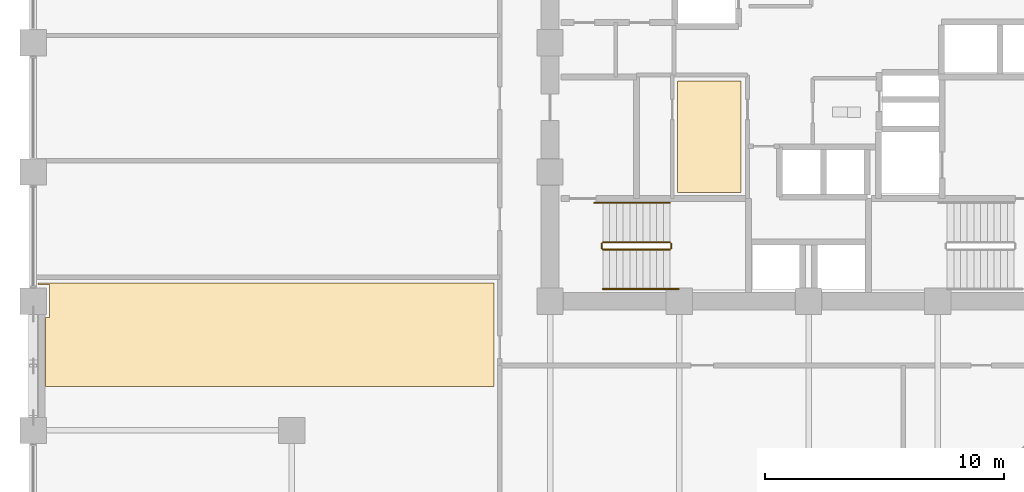
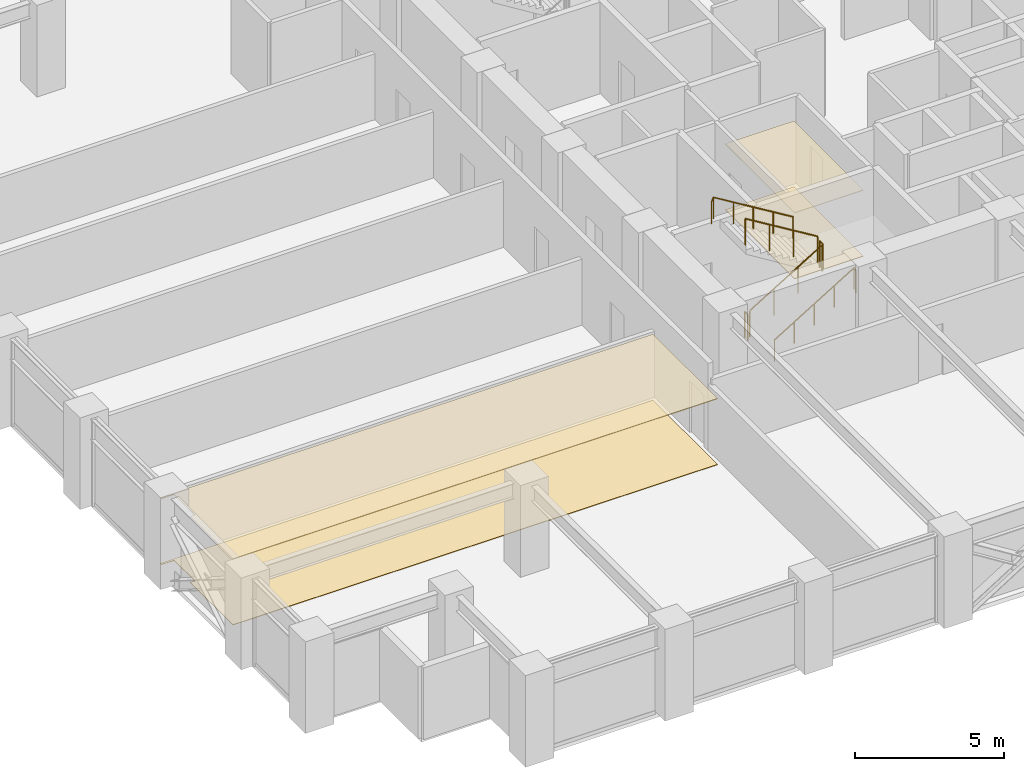
# One storey, part 23 of 25: 6 railings, 4 coverings.
"""IFC4 building model written with IfcOpenShell, lengths in metres."""

from ifc_helpers import new_model, si_unit, direction, frame, origin, origin_2d, place, context, subcontext, project, spatial, polyline, circle, outline, extrude, material, layer, layer_set, type_object, element, save


model = new_model("IFC4")

# Units and contexts
model_context = context("Model", 3, precision=1e-05, world=origin(), true_north=direction((0.0, 1.0)))
body_context = subcontext(model_context, "Body", "Model", "MODEL_VIEW")
ifc_project = project(units=[si_unit("LENGTHUNIT", "METRE"), si_unit("AREAUNIT", "SQUARE_METRE"), si_unit("VOLUMEUNIT", "CUBIC_METRE"), si_unit("PLANEANGLEUNIT", "RADIAN"), si_unit("MASSUNIT", "GRAM", prefix="KILO")], contexts=[model_context])

# Site, building, storey
site_placement = place(None, origin())
site = spatial("IfcSite", under=ifc_project, at=site_placement, CompositionType="ELEMENT")
building_placement = place(site_placement, origin())
building = spatial("IfcBuilding", under=site, at=building_placement, Name="Surkhivell Harbour Commons", CompositionType="ELEMENT")
storey_placement = place(building_placement, frame((0.0, 0.0, 113.25)))
storey = spatial("IfcBuildingStorey", under=building, at=storey_placement, Name="L29", CompositionType="ELEMENT", Elevation=113.25)

# Coverings
ifc_material_1 = material(Name="Perforated acoustic mineral-fibre ceiling tile", Category="other")
ifc_layer_1 = layer(ifc_material_1, 0.02490234375)
ifc_layer_set_1 = layer_set([ifc_layer_1], Name="Perforated acoustic mineral-fibre ceiling tile")
covering_type_1 = type_object("IfcCoveringType", Name="COV-CEIL-AC", PredefinedType="CEILING", material=ifc_layer_set_1)
covering_1_placement = place(storey_placement, frame((0.0, 0.0, 2.694091796875)))
element("IfcCovering", 1, at=covering_1_placement, inside=storey, type_object=covering_type_1, Name="L29 Suspended Acoustic Ceiling 1", PredefinedType="CEILING", context=body_context, shape_type="SweptSolid", body=[
    extrude(outline(polyline([(-5.47998046875, -6.260009765625), (-2.820068359375, -6.260009765625), (-2.820068359375, -1.60009765625), (-5.47998046875, -1.60009765625), (-5.47998046875, -6.260009765625)])), origin(), (0.0, 0.0, 1.0), 0.02490234375),
])
ifc_material_2 = material(Name="Moisture-resistant gypsum acoustic ceiling board", Category="other")
ifc_layer_2 = layer(ifc_material_2, 0.030029296875)
ifc_layer_set_2 = layer_set([ifc_layer_2], Name="Moisture-resistant gypsum acoustic ceiling board")
covering_type_2 = type_object("IfcCoveringType", Name="COV-CEIL-GYP", PredefinedType="CEILING", material=ifc_layer_set_2)
covering_2_placement = place(storey_placement, frame((0.0, 0.0, 2.68896484375)))
element("IfcCovering", 2, at=covering_2_placement, inside=storey, type_object=covering_type_2, Name="L29 Suspended Acoustic Ceiling 2", PredefinedType="CEILING", context=body_context, shape_type="SweptSolid", body=[
    extrude(outline(polyline([(-13.139892578125, -14.360107421875), (-13.139892578125, -10.027587890625), (-32.18994140625, -10.027587890625), (-32.18994140625, -10.110107421875), (-31.7099609375, -10.110107421875), (-31.7099609375, -11.489990234375), (-31.889892578125, -11.489990234375), (-31.889892578125, -14.360107421875), (-13.139892578125, -14.360107421875)])), origin(), (0.0, 0.0, 1.0), 0.030029296875),
])
ifc_material_3 = material(Name="Engineered acoustic oak timber flooring", Category="wood")
ifc_layer_3 = layer(ifc_material_3, 0.02001953125)
ifc_layer_set_3 = layer_set([ifc_layer_3], Name="Engineered acoustic oak timber flooring")
covering_type_3 = type_object("IfcCoveringType", Name="COV-FLR-TIM", PredefinedType="FLOORING", material=ifc_layer_set_3)
covering_3_placement = place(storey_placement, origin())
element("IfcCovering", 3, at=covering_3_placement, inside=storey, type_object=covering_type_3, Name="L29 Interior Floor Finish 1", PredefinedType="FLOORING", context=body_context, shape_type="SweptSolid", body=[
    extrude(outline(polyline([(-5.47998046875, -6.260009765625), (-2.820068359375, -6.260009765625), (-2.820068359375, -1.60009765625), (-5.47998046875, -1.60009765625), (-5.47998046875, -6.260009765625)])), origin(), (0.0, 0.0, 1.0), 0.02001953125),
])
covering_4_placement = place(storey_placement, origin())
element("IfcCovering", 4, at=covering_4_placement, inside=storey, type_object=covering_type_3, Name="L29 Interior Floor Finish 2", PredefinedType="FLOORING", context=body_context, shape_type="SweptSolid", body=[
    extrude(outline(polyline([(-13.139892578125, -14.360107421875), (-13.139892578125, -10.027587890625), (-32.18994140625, -10.027587890625), (-32.18994140625, -10.110107421875), (-31.7099609375, -10.110107421875), (-31.7099609375, -11.489990234375), (-31.889892578125, -11.489990234375), (-31.889892578125, -14.360107421875), (-13.139892578125, -14.360107421875)])), origin(), (0.0, 0.0, 1.0), 0.02001953125),
])

# Railings
ifc_material_4 = material(Name="Galvanised and painted steel S355 guard rail", Category="steel")
railing_type_1 = type_object("IfcRailingType", Name="RAL-ST-GRD1100", PredefinedType="GUARDRAIL", material=ifc_material_4)
railing_1_placement = place(storey_placement, frame((-8.590087890625, -8.639892578125, 0.17041015625)))
element("IfcRailing", 5, at=railing_1_placement, inside=storey, type_object=railing_type_1, Name="L29 ST3 stair guard 1", PredefinedType="GUARDRAIL", context=body_context, shape_type="SweptSolid", body=[
    extrude(circle(Radius=0.02392578125, at=origin_2d()), frame((0.0, 0.0, 1.076171875), z_axis=(0.854169791009, 0.0, 0.51999420009), x_axis=(0.0, 1.0, 0.0)), (0.0, 0.0, 1.0), 3.278076171875),
    extrude(circle(Radius=0.02099609375, at=origin_2d()), origin(), (0.0, 0.0, 1.0), 1.052001953125),
    extrude(circle(Radius=0.02099609375, at=origin_2d()), frame((0.933349609375, 0.0, 0.568115234375)), (0.0, 0.0, 1.0), 1.052001953125),
    extrude(circle(Radius=0.02099609375, at=origin_2d()), frame((1.86669921875, 0.0, 1.136474609375)), (0.0, 0.0, 1.0), 1.052001953125),
    extrude(circle(Radius=0.02099609375, at=origin_2d()), frame((2.800048828125, 0.0, 1.70458984375)), (0.0, 0.0, 1.0), 1.052001953125),
])
railing_2_placement = place(storey_placement, frame((-5.739990234375, -8.590087890625, 1.875)))
element("IfcRailing", 6, at=railing_2_placement, inside=storey, type_object=railing_type_1, Name="L29 ST3 stair guard 2", PredefinedType="GUARDRAIL", context=body_context, shape_type="SweptSolid", body=[
    extrude(circle(Radius=0.02392578125, at=origin_2d()), frame((0.0, 0.0, 1.076171875), z_axis=(0.0, 1.0, 0.0), x_axis=(-1.0, 0.0, 0.0)), (0.0, 0.0, 1.0), 0.2001953125),
    extrude(circle(Radius=0.02099609375, at=origin_2d()), origin(), (0.0, 0.0, 1.0), 1.052001953125),
    extrude(circle(Radius=0.02099609375, at=origin_2d()), frame((0.0, 0.2001953125, 0.0)), (0.0, 0.0, 1.0), 1.052001953125),
])
railing_3_placement = place(storey_placement, frame((-5.7900390625, -8.340087890625, 2.04541015625)))
element("IfcRailing", 7, at=railing_3_placement, inside=storey, type_object=railing_type_1, Name="L29 ST3 stair guard 3", PredefinedType="GUARDRAIL", context=body_context, shape_type="SweptSolid", body=[
    extrude(circle(Radius=0.02392578125, at=origin_2d()), frame((0.0, 0.0, 1.076171875), z_axis=(-0.854169791009, 0.0, 0.51999420009), x_axis=(0.0, -1.0, 0.0)), (0.0, 0.0, 1.0), 3.278076171875),
    extrude(circle(Radius=0.02099609375, at=origin_2d()), origin(), (0.0, 0.0, 1.0), 1.052001953125),
    extrude(circle(Radius=0.02099609375, at=origin_2d()), frame((-0.933349609375, 0.0, 0.568115234375)), (0.0, 0.0, 1.0), 1.052001953125),
    extrude(circle(Radius=0.02099609375, at=origin_2d()), frame((-1.86669921875, 0.0, 1.136474609375)), (0.0, 0.0, 1.0), 1.052001953125),
    extrude(circle(Radius=0.02099609375, at=origin_2d()), frame((-2.800048828125, 0.0, 1.70458984375)), (0.0, 0.0, 1.0), 1.052001953125),
])
railing_4_placement = place(storey_placement, frame((-8.639892578125, -8.590087890625, 0.0)))
element("IfcRailing", 8, at=railing_4_placement, inside=storey, type_object=railing_type_1, Name="L29 ST3 stair guard 4", PredefinedType="GUARDRAIL", context=body_context, shape_type="SweptSolid", body=[
    extrude(circle(Radius=0.02392578125, at=origin_2d()), frame((0.0, 0.0, 1.076171875), z_axis=(0.0, 1.0, 0.0), x_axis=(-1.0, 0.0, 0.0)), (0.0, 0.0, 1.0), 0.2001953125),
    extrude(circle(Radius=0.02099609375, at=origin_2d()), origin(), (0.0, 0.0, 1.0), 1.052001953125),
    extrude(circle(Radius=0.02099609375, at=origin_2d()), frame((0.0, 0.2001953125, 0.0)), (0.0, 0.0, 1.0), 1.052001953125),
])
ifc_material_5 = material(Name="Brushed stainless steel S355 handrail", Category="steel")
railing_type_2 = type_object("IfcRailingType", Name="RAL-ST-HND900", PredefinedType="HANDRAIL", material=ifc_material_5)
railing_5_placement = place(storey_placement, frame((-8.590087890625, -10.2900390625, 0.17041015625)))
element("IfcRailing", 9, at=railing_5_placement, inside=storey, type_object=railing_type_2, Name="L29 ST3 stair handrail 1", PredefinedType="HANDRAIL", context=body_context, shape_type="SweptSolid", body=[
    extrude(circle(Radius=0.02392578125, at=origin_2d()), frame((0.0, 0.0, 0.8759765625), z_axis=(0.854177636135, 0.0, 0.519981313056), x_axis=(0.0, 1.0, 0.0)), (0.0, 0.0, 1.0), 3.60595703125),
    extrude(circle(Radius=0.02392578125, at=origin_2d()), frame((3.080078125, 0.0, 2.7509765625), z_axis=(0.425297416671, 0.0, -0.905053648892), x_axis=(0.0, 1.0, 0.0)), (0.0, 0.0, 1.0), 0.188232421875),
    extrude(circle(Radius=0.02099609375, at=origin_2d()), origin(), (0.0, 0.0, 1.0), 0.851806640625),
    extrude(circle(Radius=0.02099609375, at=origin_2d()), frame((0.77001953125, 0.0, 0.46875)), (0.0, 0.0, 1.0), 0.851806640625),
    extrude(circle(Radius=0.02099609375, at=origin_2d()), frame((1.5400390625, 0.0, 0.9375)), (0.0, 0.0, 1.0), 0.851806640625),
    extrude(circle(Radius=0.02099609375, at=origin_2d()), frame((2.31005859375, 0.0, 1.40625)), (0.0, 0.0, 1.0), 0.851806640625),
    extrude(circle(Radius=0.02099609375, at=origin_2d()), frame((3.080078125, 0.0, 1.875)), (0.0, 0.0, 1.0), 0.851806640625),
    extrude(circle(Radius=0.02099609375, at=origin_2d()), frame((3.16015625, 0.0, 1.70458984375)), (0.0, 0.0, 1.0), 0.851806640625),
])
railing_6_placement = place(storey_placement, frame((-5.7900390625, -6.68994140625, 2.04541015625)))
element("IfcRailing", 10, at=railing_6_placement, inside=storey, type_object=railing_type_2, Name="L29 ST3 stair handrail 2", PredefinedType="HANDRAIL", context=body_context, shape_type="SweptSolid", body=[
    extrude(circle(Radius=0.02392578125, at=origin_2d()), frame((0.0, 0.0, 0.8759765625), z_axis=(-0.854177636135, 0.0, 0.519981313056), x_axis=(0.0, -1.0, 0.0)), (0.0, 0.0, 1.0), 3.60595703125),
    extrude(circle(Radius=0.02392578125, at=origin_2d()), frame((-3.080078125, 0.0, 2.7509765625), z_axis=(-0.424234432967, 0.0, -0.905552398199), x_axis=(0.0, -1.0, 0.0)), (0.0, 0.0, 1.0), 0.188232421875),
    extrude(circle(Radius=0.02099609375, at=origin_2d()), origin(), (0.0, 0.0, 1.0), 0.851806640625),
    extrude(circle(Radius=0.02099609375, at=origin_2d()), frame((-0.77001953125, 0.0, 0.46875)), (0.0, 0.0, 1.0), 0.851806640625),
    extrude(circle(Radius=0.02099609375, at=origin_2d()), frame((-1.5400390625, 0.0, 0.9375)), (0.0, 0.0, 1.0), 0.851806640625),
    extrude(circle(Radius=0.02099609375, at=origin_2d()), frame((-2.31005859375, 0.0, 1.40625)), (0.0, 0.0, 1.0), 0.851806640625),
    extrude(circle(Radius=0.02099609375, at=origin_2d()), frame((-3.080078125, 0.0, 1.875)), (0.0, 0.0, 1.0), 0.851806640625),
    extrude(circle(Radius=0.02099609375, at=origin_2d()), frame((-3.159912109375, 0.0, 1.70458984375)), (0.0, 0.0, 1.0), 0.851806640625),
])

save(model, "model.ifc")
